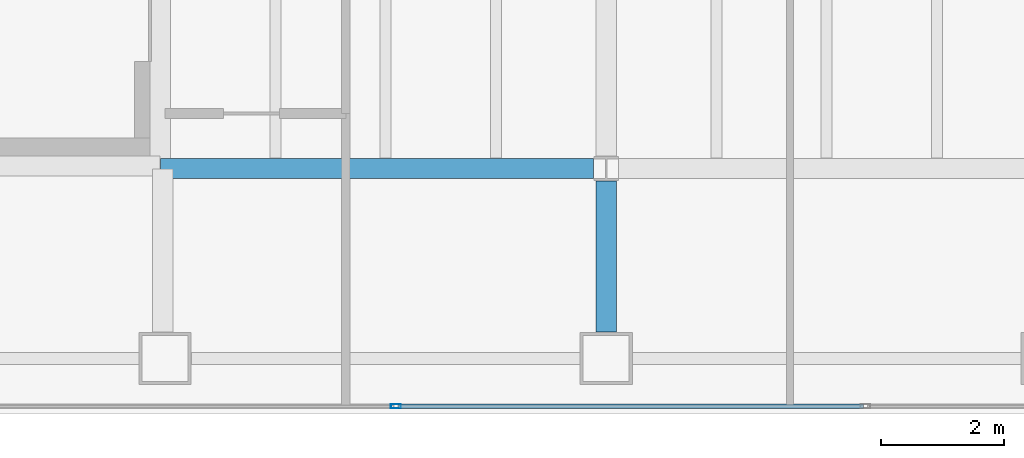
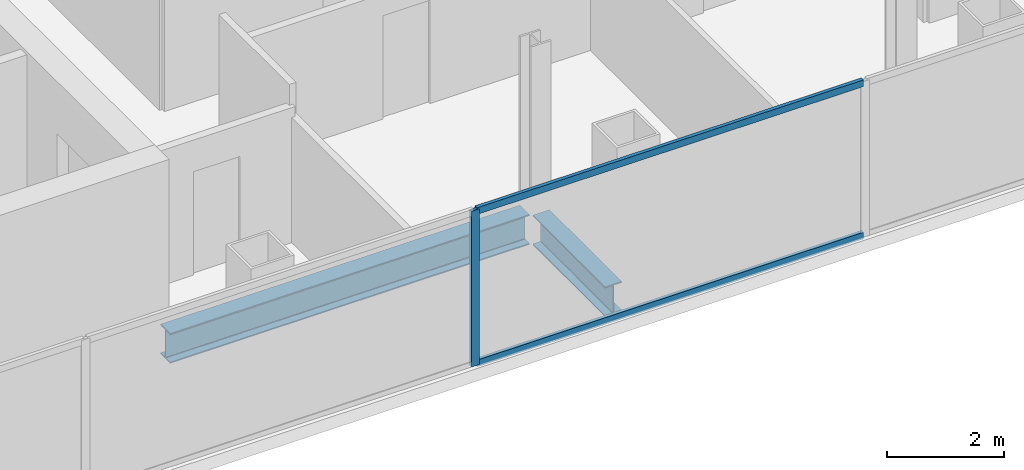
# One storey, part 4 of 23: 3 members, 2 beams, 1 element without a shape of its own.
"""IFC4 building model written with IfcOpenShell, lengths in metres."""

from ifc_helpers import new_model, si_unit, direction, frame, origin, origin_2d, place, context, subcontext, project, spatial, hollow_rectangle, i_section, extrude, material, material_profile, profile_set, type_object, element, aggregate, save


model = new_model("IFC4")

# Units and contexts
model_context = context("Model", 3, precision=1e-05, world=origin(), true_north=direction((0.0, 1.0)))
body_context = subcontext(model_context, "Body", "Model", "MODEL_VIEW")
ifc_project = project(units=[si_unit("LENGTHUNIT", "METRE"), si_unit("AREAUNIT", "SQUARE_METRE"), si_unit("VOLUMEUNIT", "CUBIC_METRE"), si_unit("PLANEANGLEUNIT", "RADIAN"), si_unit("MASSUNIT", "GRAM", prefix="KILO")], contexts=[model_context])

# Site, building, storey
site_placement = place(None, origin())
site = spatial("IfcSite", under=ifc_project, at=site_placement, CompositionType="ELEMENT")
building_placement = place(site_placement, origin())
building = spatial("IfcBuilding", under=site, at=building_placement, Name="Cobrela Telecom Tower", CompositionType="ELEMENT")
storey_placement = place(building_placement, frame((0.0, 0.0, 173.25)))
storey = spatial("IfcBuildingStorey", under=building, at=storey_placement, Name="L43", CompositionType="ELEMENT", Elevation=173.25)

# Beams
ifc_material_1 = material(Name="Steel ASTM A992 Grade 50", Category="steel")
ifc_material_profile_1 = material_profile(ifc_material_1, i_section(OverallWidth=0.327880859375, OverallDepth=0.6220703125, WebThickness=0.015380859375, FlangeThickness=0.0244140625, FilletRadius=0.014892578125, at=origin_2d()), Name="W24X131")
ifc_profile_set_1 = profile_set([ifc_material_profile_1], Name="Steel ASTM A992 Grade 50")
beam_type = type_object("IfcBeamType", Name="BM-GIRD-06", PredefinedType="USERDEFINED", material=ifc_profile_set_1)
beam_1_placement = place(storey_placement, frame((14.324951171875, 7.199951171875, -0.571044921875), z_axis=(1.0, 0.0, 0.0), x_axis=(0.0, 1.0, 0.0)))
element("IfcBeam", 1, at=beam_1_placement, inside=storey, type_object=beam_type, Name="L43 Primary Girder X07", ObjectType="GIRDER", PredefinedType="USERDEFINED", context=body_context, shape_type="SweptSolid", body=[
    extrude(i_section(OverallWidth=0.327880859375, OverallDepth=0.6220703125, WebThickness=0.015380859375, FlangeThickness=0.0244140625, FilletRadius=0.014892578125, at=origin_2d()), origin(), (0.0, 0.0, 1.0), 7.070556640625),
])
beam_2_placement = place(storey_placement, frame((21.60009765625, 4.530029296875, -0.571044921875), z_axis=(0.0, 1.0, 0.0), x_axis=(-1.0, 0.0, 0.0)))
element("IfcBeam", 2, at=beam_2_placement, inside=storey, type_object=beam_type, Name="L43 Primary Girder Y32", ObjectType="GIRDER", PredefinedType="USERDEFINED", context=body_context, shape_type="SweptSolid", body=[
    extrude(i_section(OverallWidth=0.327880859375, OverallDepth=0.6220703125, WebThickness=0.015380859375, FlangeThickness=0.0244140625, FilletRadius=0.014892578125, at=origin_2d()), origin(), (0.0, 0.0, 1.0), 2.465576171875),
])

# Curtain wall, members
ifc_material_2 = material(Name="Anodized Bronze Aluminium 6063-T6", Category="aluminium")
curtain_wall_type = type_object("IfcCurtainWallType", Name="CW-SYS-OFF-LO", PredefinedType="USERDEFINED", material=ifc_material_2)
curtain_wall_placement = place(storey_placement, origin())
curtain_wall = element("IfcCurtainWall", 3, at=curtain_wall_placement, inside=storey, type_object=curtain_wall_type, Name="L43 Unitised Bronze Curtain Wall 17", ObjectType="UNITISED CURTAIN WALL", PredefinedType="USERDEFINED")
ifc_material_profile_2 = material_profile(ifc_material_2, hollow_rectangle(XDim=0.070068359375, YDim=0.159912109375, WallThickness=0.00390625, at=origin_2d()), Name="ALU 70x160x4")
ifc_profile_set_2 = profile_set([ifc_material_profile_2], Name="Anodized Bronze Aluminium 6063-T6")
member_type_1 = type_object("IfcMemberType", Name="CW-SYS-OFF-LO-MUL", PredefinedType="MULLION", material=ifc_profile_set_2)
member_1_placement = place(storey_placement, frame((18.166015625, 3.320068359375, 0.0), z_axis=(0.0, 0.0, 1.0), x_axis=(0.0, -1.0, 0.0)))
member_1 = element("IfcMember", 4, at=member_1_placement, type_object=member_type_1, Name="CW-OFF-LO mullion 4", PredefinedType="MULLION", context=body_context, shape_type="SweptSolid", body=[
    extrude(hollow_rectangle(XDim=0.070068359375, YDim=0.159912109375, WallThickness=0.00390625, at=origin_2d()), origin(), (0.0, 0.0, 1.0), 3.239990234375),
])
ifc_material_profile_3 = material_profile(ifc_material_2, hollow_rectangle(XDim=0.070068359375, YDim=0.139892578125, WallThickness=0.00390625, at=origin_2d()), Name="ALU 70x140x4")
ifc_profile_set_3 = profile_set([ifc_material_profile_3], Name="Anodized Bronze Aluminium 6063-T6")
member_type_2 = type_object("IfcMemberType", Name="CW-SYS-OFF-LO-TRN", PredefinedType="USERDEFINED", material=ifc_profile_set_3)
member_2_placement = place(storey_placement, frame((25.799072265625, 3.320068359375, 0.034912109375), z_axis=(-1.0, 0.0, 0.0), x_axis=(0.0, -1.0, 0.0)))
member_2 = element("IfcMember", 5, at=member_2_placement, type_object=member_type_2, Name="CW-OFF-LO transom 3.1", ObjectType="TRANSOM", PredefinedType="USERDEFINED", context=body_context, shape_type="SweptSolid", body=[
    extrude(hollow_rectangle(XDim=0.070068359375, YDim=0.139892578125, WallThickness=0.00390625, at=origin_2d()), origin(), (0.0, 0.0, 1.0), 7.59814453125),
])
member_3_placement = place(storey_placement, frame((25.799072265625, 3.320068359375, 3.205078125), z_axis=(-1.0, 0.0, 0.0), x_axis=(0.0, -1.0, 0.0)))
member_3 = element("IfcMember", 6, at=member_3_placement, type_object=member_type_2, Name="CW-OFF-LO transom 3.2", ObjectType="TRANSOM", PredefinedType="USERDEFINED", context=body_context, shape_type="SweptSolid", body=[
    extrude(hollow_rectangle(XDim=0.070068359375, YDim=0.139892578125, WallThickness=0.00390625, at=origin_2d()), origin(), (0.0, 0.0, 1.0), 7.59814453125),
])
aggregate(curtain_wall, [member_1, member_2, member_3])

save(model, "model.ifc")
